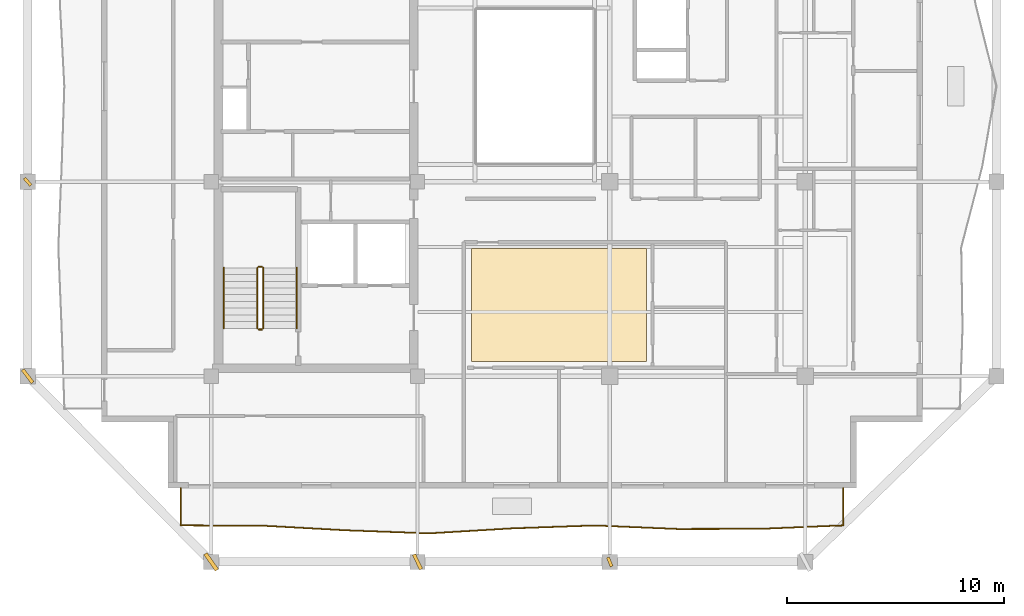
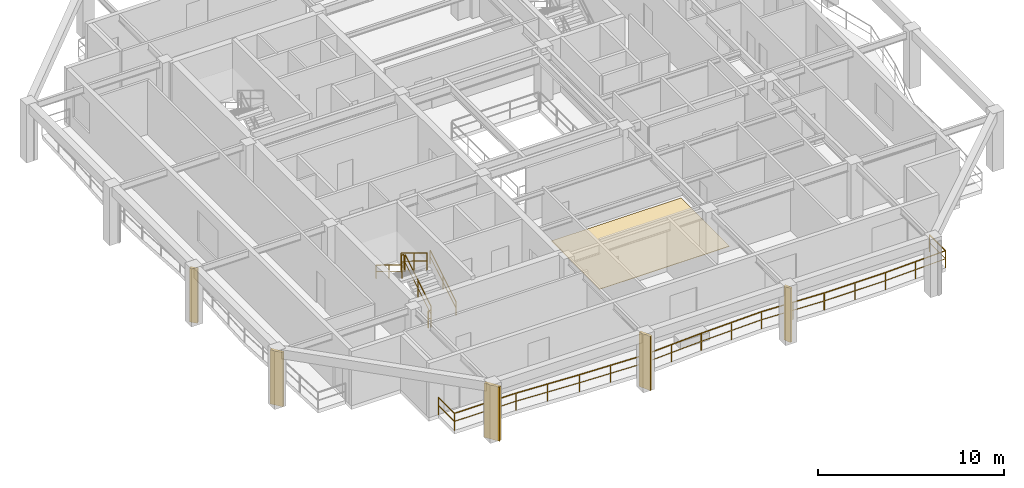
# One storey, part 7 of 10: 7 railings, 5 shading devices, 1 covering.
"""IFC4 building model written with IfcOpenShell, lengths in metres."""

import ifcopenshell
import ifcopenshell.guid

model = None  # the IFC model being written
_history = None  # IfcOwnerHistory: only IFC2X3 demands one
_inside = {}  # id of a spatial element -> (the spatial element, [elements in it])
_under = {}  # id of a project, library or spatial element -> (it, [spatial elements below it])
_declared = {}  # id of a project -> (the project, [libraries it declares])
_typed = {}  # id of a type object -> (the type object, [elements of that type])
_made_of = {}  # id of a material, layer set ... -> (it, [elements and type objects made of it])


def new_model(schema):
    """Start an empty IFC model of exactly this schema.

    Asked for "IFC4X3", IfcOpenShell would pick the latest addendum, in which some entities
    have other attributes; the version numbers below select the first issue.
    IFC2X3 requires an IfcOwnerHistory on every rooted entity: one is made here for all.
    """
    global model, _history
    if schema == "IFC4X3":
        model = ifcopenshell.file(schema_version=(4, 3, 0, 0))
    else:
        model = ifcopenshell.file(schema=schema)
    _inside.clear()
    _under.clear()
    _declared.clear()
    _typed.clear()
    _made_of.clear()
    _history = None
    if model.schema == "IFC2X3":
        org = make("IfcOrganization", Name="unknown")
        user = make(
            "IfcPersonAndOrganization",
            ThePerson=make("IfcPerson", FamilyName="unknown"),
            TheOrganization=org,
        )
        app = make(
            "IfcApplication",
            ApplicationDeveloper=org,
            Version="unknown",
            ApplicationFullName="unknown",
            ApplicationIdentifier="unknown",
        )
        _history = make(
            "IfcOwnerHistory",
            OwningUser=user,
            OwningApplication=app,
            ChangeAction="ADDED",
            CreationDate=0,
        )
    return model


def make(cls, **values):
    """One entity of the class cls with the attributes given. An attribute that is None is left unset."""
    return model.create_entity(
        cls, **{name: value for name, value in values.items() if value is not None}
    )


def rooted(cls, **values):
    """An entity with a GlobalId (a new one), such as an element, a storey or a relation."""
    return make(cls, GlobalId=ifcopenshell.guid.new(), OwnerHistory=_history, **values)


def si_unit(unit_type, name, prefix=None):
    """IfcSIUnit, for example si_unit("LENGTHUNIT", "METRE", prefix="MILLI")."""
    return make("IfcSIUnit", UnitType=unit_type, Prefix=prefix, Name=name)


def assignment(units):
    """IfcUnitAssignment: the units of a project."""
    return None if units is None else make("IfcUnitAssignment", Units=units)


def point(xyz):
    """IfcCartesianPoint."""
    return None if xyz is None else make("IfcCartesianPoint", Coordinates=xyz)


def direction(xyz):
    """IfcDirection."""
    return None if xyz is None else make("IfcDirection", DirectionRatios=xyz)


def frame(location, z_axis=None, x_axis=None):
    """IfcAxis2Placement3D, a coordinate frame: its origin and axes. An axis left out is left unset."""
    return make(
        "IfcAxis2Placement3D",
        Location=point(location),
        Axis=direction(z_axis),
        RefDirection=direction(x_axis),
    )


def frame_2d(location, x_axis=None):
    """IfcAxis2Placement2D, a coordinate frame in the plane: its origin and x axis."""
    return make(
        "IfcAxis2Placement2D", Location=point(location), RefDirection=direction(x_axis)
    )


def origin():
    """The frame at (0, 0, 0) with its axes left unset."""
    return frame((0.0, 0.0, 0.0))


def origin_2d():
    """The frame at (0, 0) in the plane with its x axis left unset."""
    return frame_2d((0.0, 0.0))


def place(relative_to, where):
    """IfcLocalPlacement: puts the frame where relative to a parent placement (None: the world)."""
    return make(
        "IfcLocalPlacement", PlacementRelTo=relative_to, RelativePlacement=where
    )


def context(
    kind, dimensions, precision=None, world=None, true_north=None, identifier=None
):
    """IfcGeometricRepresentationContext, for example the 3D "Model" context."""
    return make(
        "IfcGeometricRepresentationContext",
        ContextIdentifier=identifier,
        ContextType=kind,
        CoordinateSpaceDimension=dimensions,
        Precision=precision,
        WorldCoordinateSystem=world,
        TrueNorth=true_north,
    )


def subcontext(parent, identifier, kind, view, scale=None):
    """IfcGeometricRepresentationSubContext, for example "Body" below "Model"."""
    return make(
        "IfcGeometricRepresentationSubContext",
        ContextIdentifier=identifier,
        ContextType=kind,
        ParentContext=parent,
        TargetScale=scale,
        TargetView=view,
    )


def project(units=None, contexts=None):
    """IfcProject with its units and contexts."""
    return rooted(
        "IfcProject",
        Name="project",
        RepresentationContexts=contexts,
        UnitsInContext=assignment(units),
    )


def spatial(cls, under=None, at=None, **own):
    """A site, building, storey or space (cls), placed at a placement, below another one or the project."""
    s = rooted(cls, ObjectPlacement=at, **own)
    if under is not None:
        _under.setdefault(under.id(), (under, []))[1].append(s)
    return s


def polyline(points):
    """IfcPolyline through the points."""
    return make("IfcPolyline", Points=[point(p) for p in points])


def profile(cls, at=None, kind="AREA", **sizes):
    """A parametric profile (cls). Its sizes go by their IFC names, for example OverallWidth=200.0."""
    return make(cls, ProfileType=kind, Position=at, **sizes)


def rectangle(**sizes):
    """IfcRectangleProfileDef."""
    return profile("IfcRectangleProfileDef", **sizes)


def outline(outer, holes=None, kind="AREA"):
    """IfcArbitraryClosedProfileDef: a profile drawn as a closed curve; with holes, ...WithVoids."""
    if holes is None:
        return make("IfcArbitraryClosedProfileDef", ProfileType=kind, OuterCurve=outer)
    return make(
        "IfcArbitraryProfileDefWithVoids",
        ProfileType=kind,
        OuterCurve=outer,
        InnerCurves=holes,
    )


def extrude(swept, where, along, depth):
    """IfcExtrudedAreaSolid: the profile swept, set in the frame where, extruded along a direction by depth."""
    return make(
        "IfcExtrudedAreaSolid",
        SweptArea=swept,
        Position=where,
        ExtrudedDirection=direction(along),
        Depth=depth,
    )


def shape(context_of_items, identifier, shape_type, items):
    """IfcShapeRepresentation: the items that make up one representation, for example the "Body"."""
    return make(
        "IfcShapeRepresentation",
        ContextOfItems=context_of_items,
        RepresentationIdentifier=identifier,
        RepresentationType=shape_type,
        Items=items,
    )


def material(Name=None, Category=None):
    """IfcMaterial."""
    return make("IfcMaterial", Name=Name, Category=Category)


def layer(
    of_material, thickness, ventilated=None, Name=None, Category=None, Priority=None
):
    """IfcMaterialLayer: one layer of a wall or slab, of a material (None: an air gap)."""
    return make(
        "IfcMaterialLayer",
        Material=of_material,
        LayerThickness=thickness,
        IsVentilated=ventilated,
        Name=Name,
        Category=Category,
        Priority=Priority,
    )


def layer_set(layers, Name=None):
    """IfcMaterialLayerSet."""
    return make("IfcMaterialLayerSet", MaterialLayers=layers, LayerSetName=Name)


def made_of(thing, what):
    """Note that an element or type object is made of a material, layer set ...; save() writes the relation."""
    if what is not None:
        _made_of.setdefault(what.id(), (what, []))[1].append(thing)
    return thing


def type_object(cls, material=None, **own):
    """A type object (cls), such as IfcWallType, which elements share."""
    return made_of(rooted(cls, **own), material)


def element(
    cls,
    number,
    at=None,
    inside=None,
    cuts=None,
    type_object=None,
    material=None,
    context=None,
    identifier="Body",
    shape_type=None,
    held_by="IfcProductDefinitionShape",
    body=None,
    shapes=None,
    **own,
):
    """One element of the class cls, such as IfcWall. Its Tag is "e" and its number.

    at: its placement. inside: the storey or other place that contains it. cuts: it is an
    opening in that element (IfcRelVoidsElement). A single representation is given by context,
    identifier, shape_type and body (its items); several are given by shapes. held_by: the class
    of the entity that holds the representations. save() writes the other relations.
    """
    e = rooted(cls, Tag="e%d" % number, ObjectPlacement=at, **own)
    if body is not None:
        shapes = [shape(context, identifier, shape_type, body)]
    if shapes is not None:
        e.Representation = make(held_by, Representations=shapes)
    if inside is not None:
        _inside.setdefault(inside.id(), (inside, []))[1].append(e)
    if cuts is not None:
        rooted(
            "IfcRelVoidsElement", RelatingBuildingElement=cuts, RelatedOpeningElement=e
        )
    if type_object is not None:
        _typed.setdefault(type_object.id(), (type_object, []))[1].append(e)
    return made_of(e, material)


def aggregate(whole, parts):
    """IfcRelAggregates: a whole, such as a stair, and the parts it consists of."""
    return rooted("IfcRelAggregates", RelatingObject=whole, RelatedObjects=parts)


def save(model, path):
    """Write the relations noted so far, then the file.

    IfcRelAggregates (storeys below a building ...), IfcRelContainedInSpatialStructure (elements
    in a storey), IfcRelDefinesByType, IfcRelAssociatesMaterial and IfcRelDeclares: one each for
    every whole, place, type object, material and project.
    """
    for whole, parts in _under.values():
        aggregate(whole, parts)
    for where, things in _inside.values():
        rooted(
            "IfcRelContainedInSpatialStructure",
            RelatedElements=things,
            RelatingStructure=where,
        )
    for kind, things in _typed.values():
        rooted("IfcRelDefinesByType", RelatedObjects=things, RelatingType=kind)
    for what, things in _made_of.values():
        rooted("IfcRelAssociatesMaterial", RelatedObjects=things, RelatingMaterial=what)
    for by, libraries in _declared.values():
        rooted("IfcRelDeclares", RelatingContext=by, RelatedDefinitions=libraries)
    model.write(path)


model = new_model("IFC4")

# Units and contexts
model_context = context("Model", 3, precision=1e-05, world=origin(), true_north=direction((0.0, 1.0)))
body_context = subcontext(model_context, "Body", "Model", "MODEL_VIEW")
ifc_project = project(units=[si_unit("LENGTHUNIT", "METRE"), si_unit("AREAUNIT", "SQUARE_METRE"), si_unit("VOLUMEUNIT", "CUBIC_METRE"), si_unit("PLANEANGLEUNIT", "RADIAN"), si_unit("MASSUNIT", "GRAM", prefix="KILO")], contexts=[model_context])

# Site, building, storey
site_placement = place(None, origin())
site = spatial("IfcSite", under=ifc_project, at=site_placement, CompositionType="ELEMENT")
building_placement = place(site_placement, origin())
building = spatial("IfcBuilding", under=site, at=building_placement, Name="Kundavana Baori Tower", CompositionType="ELEMENT")
storey_placement = place(building_placement, frame((0.0, 0.0, 312.5)))
storey = spatial("IfcBuildingStorey", under=building, at=storey_placement, Name="L77", CompositionType="ELEMENT", Elevation=312.5)

# Covering
ifc_material_1 = material(Name="Honed Kota Stone and Terrazzo Flooring", Category="masonry")
ifc_layer = layer(ifc_material_1, 0.030029296875, Name="COV-INT-FLR")
ifc_layer_set = layer_set([ifc_layer], Name="Honed Kota Stone and Terrazzo Flooring")
covering_type = type_object("IfcCoveringType", Name="COV-INT-FLR", PredefinedType="FLOORING", material=ifc_layer_set)
covering_placement = place(storey_placement, origin())
element("IfcCovering", 1, at=covering_placement, inside=storey, type_object=covering_type, Name="L77 Room Finished Stone Flooring 1", PredefinedType="FLOORING", context=body_context, shape_type="SweptSolid", body=[
    extrude(outline(polyline([(27.43994140625, 15.919921875), (35.489990234375, 15.919921875), (35.489990234375, 21.139892578125), (27.43994140625, 21.139892578125), (27.43994140625, 15.919921875)])), origin(), (0.0, 0.0, 1.0), 0.030029296875),
])

# Railings
ifc_material_2 = material(Name="Architectural Patinated Bronze Metalwork")
railing_type_1 = type_object("IfcRailingType", Name="RL-BAL-1150", PredefinedType="BALUSTRADE", material=ifc_material_2)
railing_1_placement = place(storey_placement, frame((44.550048828125, 10.10009765625, 0.0)))
element("IfcRailing", 2, at=railing_1_placement, inside=storey, type_object=railing_type_1, Name="L77 Loggia Balcony Balustrade S", PredefinedType="BALUSTRADE", context=body_context, shape_type="SweptSolid", body=[
    extrude(rectangle(XDim=0.048095703125, YDim=0.048095703125, at=origin_2d()), frame((0.0, 0.0, 1.1259765625), z_axis=(0.0, -1.0, 0.0), x_axis=(1.0, 0.0, 0.0)), (0.0, 0.0, 1.0), 1.72021484375),
    extrude(rectangle(XDim=0.03125, YDim=0.03125, at=origin_2d()), frame((0.0, 0.0, 0.597900390625), z_axis=(0.0, -1.0, 0.0), x_axis=(1.0, 0.0, 0.0)), (0.0, 0.0, 1.0), 1.72021484375),
    extrude(rectangle(XDim=0.048095703125, YDim=0.048095703125, at=origin_2d()), frame((0.0, -1.72021484375, 1.1259765625), z_axis=(-0.999110982003, -0.042157391288, 0.0), x_axis=(0.042157391288, -0.999110982003, 0.0)), (0.0, 0.0, 1.0), 3.81640625),
    extrude(rectangle(XDim=0.03125, YDim=0.03125, at=origin_2d()), frame((0.0, -1.72021484375, 0.597900390625), z_axis=(-0.999110982003, -0.042157391288, 0.0), x_axis=(0.042157391288, -0.999110982003, 0.0)), (0.0, 0.0, 1.0), 3.81640625),
    extrude(rectangle(XDim=0.048095703125, YDim=0.048095703125, at=origin_2d()), frame((-3.81298828125, -1.881103515625, 1.1259765625), z_axis=(-0.999998718198, -0.001601125141, 0.0), x_axis=(0.001601125141, -0.999998718198, 0.0)), (0.0, 0.0, 1.0), 3.81201171875),
    extrude(rectangle(XDim=0.03125, YDim=0.03125, at=origin_2d()), frame((-3.81298828125, -1.881103515625, 0.597900390625), z_axis=(-0.999998718198, -0.001601125141, 0.0), x_axis=(0.001601125141, -0.999998718198, 0.0)), (0.0, 0.0, 1.0), 3.81201171875),
    extrude(rectangle(XDim=0.048095703125, YDim=0.048095703125, at=origin_2d()), frame((-7.625, -1.88720703125, 1.1259765625), z_axis=(-0.999097458743, 0.042476675157, 0.0), x_axis=(-0.042476675157, -0.999097458743, 0.0)), (0.0, 0.0, 1.0), 3.81640625),
    extrude(rectangle(XDim=0.03125, YDim=0.03125, at=origin_2d()), frame((-7.625, -1.88720703125, 0.597900390625), z_axis=(-0.999097458743, 0.042476675157, 0.0), x_axis=(-0.042476675157, -0.999097458743, 0.0)), (0.0, 0.0, 1.0), 3.81640625),
    extrude(rectangle(XDim=0.048095703125, YDim=0.048095703125, at=origin_2d()), frame((-11.43798828125, -1.72509765625, 1.1259765625), z_axis=(-0.999382433273, -0.035139039059, 0.0), x_axis=(0.035139039059, -0.999382433273, 0.0)), (0.0, 0.0, 1.0), 3.814453125),
    extrude(rectangle(XDim=0.03125, YDim=0.03125, at=origin_2d()), frame((-11.43798828125, -1.72509765625, 0.597900390625), z_axis=(-0.999382433273, -0.035139039059, 0.0), x_axis=(0.035139039059, -0.999382433273, 0.0)), (0.0, 0.0, 1.0), 3.814453125),
    extrude(rectangle(XDim=0.048095703125, YDim=0.048095703125, at=origin_2d()), frame((-15.25, -1.859130859375, 1.1259765625), z_axis=(-0.998201328375, -0.059950880139, 0.0), x_axis=(0.059950880139, -0.998201328375, 0.0)), (0.0, 0.0, 1.0), 3.81982421875),
    extrude(rectangle(XDim=0.03125, YDim=0.03125, at=origin_2d()), frame((-15.25, -1.859130859375, 0.597900390625), z_axis=(-0.998201328375, -0.059950880139, 0.0), x_axis=(0.059950880139, -0.998201328375, 0.0)), (0.0, 0.0, 1.0), 3.81982421875),
    extrude(rectangle(XDim=0.048095703125, YDim=0.048095703125, at=origin_2d()), frame((-19.06298828125, -2.088134765625, 1.1259765625), z_axis=(-0.999324966198, 0.036737064852, 0.0), x_axis=(-0.036737064852, -0.999324966198, 0.0)), (0.0, 0.0, 1.0), 3.814697265625),
    extrude(rectangle(XDim=0.03125, YDim=0.03125, at=origin_2d()), frame((-19.06298828125, -2.088134765625, 0.597900390625), z_axis=(-0.999324966198, 0.036737064852, 0.0), x_axis=(-0.036737064852, -0.999324966198, 0.0)), (0.0, 0.0, 1.0), 3.814697265625),
    extrude(rectangle(XDim=0.048095703125, YDim=0.048095703125, at=origin_2d()), frame((-22.875, -1.947998046875, 1.1259765625), z_axis=(-0.998486606731, 0.05499541961, 0.0), x_axis=(-0.05499541961, -0.998486606731, 0.0)), (0.0, 0.0, 1.0), 3.81787109375),
    extrude(rectangle(XDim=0.03125, YDim=0.03125, at=origin_2d()), frame((-22.875, -1.947998046875, 0.597900390625), z_axis=(-0.998486606731, 0.05499541961, 0.0), x_axis=(-0.05499541961, -0.998486606731, 0.0)), (0.0, 0.0, 1.0), 3.81787109375),
    extrude(rectangle(XDim=0.048095703125, YDim=0.048095703125, at=origin_2d()), frame((-26.68701171875, -1.738037109375, 1.1259765625), z_axis=(-0.999989076602, 0.004674042937, 0.0), x_axis=(-0.004674042937, -0.999989076602, 0.0)), (0.0, 0.0, 1.0), 3.81298828125),
    extrude(rectangle(XDim=0.03125, YDim=0.03125, at=origin_2d()), frame((-26.68701171875, -1.738037109375, 0.597900390625), z_axis=(-0.999989076602, 0.004674042937, 0.0), x_axis=(-0.004674042937, -0.999989076602, 0.0)), (0.0, 0.0, 1.0), 3.81298828125),
    extrude(rectangle(XDim=0.048095703125, YDim=0.048095703125, at=origin_2d()), frame((-30.5, -1.72021484375, 1.1259765625), z_axis=(0.0, 1.0, 0.0), x_axis=(-1.0, 0.0, 0.0)), (0.0, 0.0, 1.0), 1.72021484375),
    extrude(rectangle(XDim=0.03125, YDim=0.03125, at=origin_2d()), frame((-30.5, -1.72021484375, 0.597900390625), z_axis=(0.0, 1.0, 0.0), x_axis=(-1.0, 0.0, 0.0)), (0.0, 0.0, 1.0), 1.72021484375),
    extrude(rectangle(XDim=0.0419921875, YDim=0.0419921875, at=origin_2d()), origin(), (0.0, 0.0, 1.0), 1.101806640625),
    extrude(rectangle(XDim=0.0419921875, YDim=0.0419921875, at=origin_2d()), frame((0.0, -1.72021484375, 0.0)), (0.0, 0.0, 1.0), 1.101806640625),
    extrude(rectangle(XDim=0.0419921875, YDim=0.0419921875, at=origin_2d()), frame((-1.906494140625, -1.80078125, 0.0)), (0.0, 0.0, 1.0), 1.101806640625),
    extrude(rectangle(XDim=0.0419921875, YDim=0.0419921875, at=origin_2d()), frame((-3.81298828125, -1.881103515625, 0.0)), (0.0, 0.0, 1.0), 1.101806640625),
    extrude(rectangle(XDim=0.0419921875, YDim=0.0419921875, at=origin_2d()), frame((-5.718994140625, -1.88427734375, 0.0)), (0.0, 0.0, 1.0), 1.101806640625),
    extrude(rectangle(XDim=0.0419921875, YDim=0.0419921875, at=origin_2d()), frame((-7.625, -1.88720703125, 0.0)), (0.0, 0.0, 1.0), 1.101806640625),
    extrude(rectangle(XDim=0.0419921875, YDim=0.0419921875, at=origin_2d()), frame((-9.531494140625, -1.80615234375, 0.0)), (0.0, 0.0, 1.0), 1.101806640625),
    extrude(rectangle(XDim=0.0419921875, YDim=0.0419921875, at=origin_2d()), frame((-11.43798828125, -1.72509765625, 0.0)), (0.0, 0.0, 1.0), 1.101806640625),
    extrude(rectangle(XDim=0.0419921875, YDim=0.0419921875, at=origin_2d()), frame((-13.343994140625, -1.7919921875, 0.0)), (0.0, 0.0, 1.0), 1.101806640625),
    extrude(rectangle(XDim=0.0419921875, YDim=0.0419921875, at=origin_2d()), frame((-15.25, -1.859130859375, 0.0)), (0.0, 0.0, 1.0), 1.101806640625),
    extrude(rectangle(XDim=0.0419921875, YDim=0.0419921875, at=origin_2d()), frame((-17.156494140625, -1.9736328125, 0.0)), (0.0, 0.0, 1.0), 1.101806640625),
    extrude(rectangle(XDim=0.0419921875, YDim=0.0419921875, at=origin_2d()), frame((-19.06298828125, -2.088134765625, 0.0)), (0.0, 0.0, 1.0), 1.101806640625),
    extrude(rectangle(XDim=0.0419921875, YDim=0.0419921875, at=origin_2d()), frame((-20.968994140625, -2.01806640625, 0.0)), (0.0, 0.0, 1.0), 1.101806640625),
    extrude(rectangle(XDim=0.0419921875, YDim=0.0419921875, at=origin_2d()), frame((-22.875, -1.947998046875, 0.0)), (0.0, 0.0, 1.0), 1.101806640625),
    extrude(rectangle(XDim=0.0419921875, YDim=0.0419921875, at=origin_2d()), frame((-24.781005859375, -1.843017578125, 0.0)), (0.0, 0.0, 1.0), 1.101806640625),
    extrude(rectangle(XDim=0.0419921875, YDim=0.0419921875, at=origin_2d()), frame((-26.68701171875, -1.738037109375, 0.0)), (0.0, 0.0, 1.0), 1.101806640625),
    extrude(rectangle(XDim=0.0419921875, YDim=0.0419921875, at=origin_2d()), frame((-28.593505859375, -1.72900390625, 0.0)), (0.0, 0.0, 1.0), 1.101806640625),
    extrude(rectangle(XDim=0.0419921875, YDim=0.0419921875, at=origin_2d()), frame((-30.5, -1.72021484375, 0.0)), (0.0, 0.0, 1.0), 1.101806640625),
    extrude(rectangle(XDim=0.0419921875, YDim=0.0419921875, at=origin_2d()), frame((-30.5, 0.0, 0.0)), (0.0, 0.0, 1.0), 1.101806640625),
])
ifc_material_3 = material(Name="Architectural Patinated Bronze Metalwork")
railing_type_2 = type_object("IfcRailingType", Name="RL-GRD-1150", PredefinedType="GUARDRAIL", material=ifc_material_3)
railing_2_placement = place(storey_placement, frame((17.840087890625, 17.449951171875, 0.18994140625)))
element("IfcRailing", 3, at=railing_2_placement, inside=storey, type_object=railing_type_2, Name="L77 ST1 stair guard 1", PredefinedType="GUARDRAIL", context=body_context, shape_type="SweptSolid", body=[
    extrude(rectangle(XDim=0.048095703125, YDim=0.048095703125, at=origin_2d()), frame((0.0, 0.0, 1.1259765625), z_axis=(0.0, 0.852609830418, 0.522548061975), x_axis=(-1.0, 0.0, 0.0)), (0.0, 0.0, 1.0), 3.2724609375),
    extrude(rectangle(XDim=0.03125, YDim=0.03125, at=origin_2d()), frame((0.0, 0.0, 0.597900390625), z_axis=(0.0, 0.852609830418, 0.522548061975), x_axis=(-1.0, 0.0, 0.0)), (0.0, 0.0, 1.0), 3.2724609375),
    extrude(rectangle(XDim=0.0419921875, YDim=0.0419921875, at=origin_2d()), origin(), (0.0, 0.0, 1.0), 1.101806640625),
    extrude(rectangle(XDim=0.0419921875, YDim=0.0419921875, at=origin_2d()), frame((0.0, 1.39501953125, 0.85498046875)), (0.0, 0.0, 1.0), 1.101806640625),
    extrude(rectangle(XDim=0.0419921875, YDim=0.0419921875, at=origin_2d()), frame((0.0, 2.7900390625, 1.7099609375)), (0.0, 0.0, 1.0), 1.101806640625),
])
railing_3_placement = place(storey_placement, frame((17.7900390625, 20.2900390625, 1.89990234375)))
element("IfcRailing", 4, at=railing_3_placement, inside=storey, type_object=railing_type_2, Name="L77 ST1 stair guard 2", PredefinedType="GUARDRAIL", context=body_context, shape_type="SweptSolid", body=[
    extrude(rectangle(XDim=0.048095703125, YDim=0.048095703125, at=origin_2d()), frame((0.0, 0.0, 1.1259765625), z_axis=(-1.0, 0.0, 0.0), x_axis=(0.0, -1.0, 0.0)), (0.0, 0.0, 1.0), 0.16015625),
    extrude(rectangle(XDim=0.03125, YDim=0.03125, at=origin_2d()), frame((0.0, 0.0, 0.597900390625), z_axis=(-1.0, 0.0, 0.0), x_axis=(0.0, -1.0, 0.0)), (0.0, 0.0, 1.0), 0.16015625),
    extrude(rectangle(XDim=0.0419921875, YDim=0.0419921875, at=origin_2d()), origin(), (0.0, 0.0, 1.0), 1.101806640625),
    extrude(rectangle(XDim=0.0419921875, YDim=0.0419921875, at=origin_2d()), frame((-0.16015625, 0.0, 0.0)), (0.0, 0.0, 1.0), 1.101806640625),
])
railing_4_placement = place(storey_placement, frame((17.580078125, 20.239990234375, 2.090087890625)))
element("IfcRailing", 5, at=railing_4_placement, inside=storey, type_object=railing_type_2, Name="L77 ST1 stair guard 3", PredefinedType="GUARDRAIL", context=body_context, shape_type="SweptSolid", body=[
    extrude(rectangle(XDim=0.048095703125, YDim=0.048095703125, at=origin_2d()), frame((0.0, 0.0, 1.1259765625), z_axis=(0.0, -0.852609830418, 0.522548061975), x_axis=(1.0, 0.0, 0.0)), (0.0, 0.0, 1.0), 3.2724609375),
    extrude(rectangle(XDim=0.03125, YDim=0.03125, at=origin_2d()), frame((0.0, 0.0, 0.597900390625), z_axis=(0.0, -0.852609830418, 0.522548061975), x_axis=(1.0, 0.0, 0.0)), (0.0, 0.0, 1.0), 3.2724609375),
    extrude(rectangle(XDim=0.0419921875, YDim=0.0419921875, at=origin_2d()), origin(), (0.0, 0.0, 1.0), 1.101806640625),
    extrude(rectangle(XDim=0.0419921875, YDim=0.0419921875, at=origin_2d()), frame((0.0, -1.39501953125, 0.85498046875)), (0.0, 0.0, 1.0), 1.101806640625),
    extrude(rectangle(XDim=0.0419921875, YDim=0.0419921875, at=origin_2d()), frame((0.0, -2.7900390625, 1.7099609375)), (0.0, 0.0, 1.0), 1.101806640625),
])
railing_5_placement = place(storey_placement, frame((17.7900390625, 17.39990234375, 0.0)))
element("IfcRailing", 6, at=railing_5_placement, inside=storey, type_object=railing_type_2, Name="L77 ST1 stair guard 4", PredefinedType="GUARDRAIL", context=body_context, shape_type="SweptSolid", body=[
    extrude(rectangle(XDim=0.048095703125, YDim=0.048095703125, at=origin_2d()), frame((0.0, 0.0, 1.1259765625), z_axis=(-1.0, 0.0, 0.0), x_axis=(0.0, -1.0, 0.0)), (0.0, 0.0, 1.0), 0.16015625),
    extrude(rectangle(XDim=0.03125, YDim=0.03125, at=origin_2d()), frame((0.0, 0.0, 0.597900390625), z_axis=(-1.0, 0.0, 0.0), x_axis=(0.0, -1.0, 0.0)), (0.0, 0.0, 1.0), 0.16015625),
    extrude(rectangle(XDim=0.0419921875, YDim=0.0419921875, at=origin_2d()), origin(), (0.0, 0.0, 1.0), 1.101806640625),
    extrude(rectangle(XDim=0.0419921875, YDim=0.0419921875, at=origin_2d()), frame((-0.16015625, 0.0, 0.0)), (0.0, 0.0, 1.0), 1.101806640625),
])
ifc_material_4 = material(Name="Architectural Patinated Bronze Metalwork")
railing_type_3 = type_object("IfcRailingType", Name="RL-HND-920", PredefinedType="HANDRAIL", material=ifc_material_4)
railing_6_placement = place(storey_placement, frame((19.389892578125, 17.449951171875, 0.18994140625)))
element("IfcRailing", 7, at=railing_6_placement, inside=storey, type_object=railing_type_3, Name="L77 ST1 stair handrail 1", PredefinedType="HANDRAIL", context=body_context, shape_type="SweptSolid", body=[
    extrude(rectangle(XDim=0.048095703125, YDim=0.048095703125, at=origin_2d()), frame((0.0, 0.0, 0.8759765625), z_axis=(0.0, 0.852609830418, 0.522548061975), x_axis=(-1.0, 0.0, 0.0)), (0.0, 0.0, 1.0), 3.2724609375),
    extrude(rectangle(XDim=0.03125, YDim=0.03125, at=origin_2d()), frame((0.0, 0.0, 0.468017578125), z_axis=(0.0, 0.852609830418, 0.522548061975), x_axis=(-1.0, 0.0, 0.0)), (0.0, 0.0, 1.0), 3.2724609375),
    extrude(rectangle(XDim=0.0419921875, YDim=0.0419921875, at=origin_2d()), origin(), (0.0, 0.0, 1.0), 0.851806640625),
    extrude(rectangle(XDim=0.0419921875, YDim=0.0419921875, at=origin_2d()), frame((0.0, 1.39501953125, 0.85498046875)), (0.0, 0.0, 1.0), 0.851806640625),
    extrude(rectangle(XDim=0.0419921875, YDim=0.0419921875, at=origin_2d()), frame((0.0, 2.7900390625, 1.7099609375)), (0.0, 0.0, 1.0), 0.851806640625),
])
railing_7_placement = place(storey_placement, frame((16.030029296875, 20.239990234375, 2.090087890625)))
element("IfcRailing", 8, at=railing_7_placement, inside=storey, type_object=railing_type_3, Name="L77 ST1 stair handrail 2", PredefinedType="HANDRAIL", context=body_context, shape_type="SweptSolid", body=[
    extrude(rectangle(XDim=0.048095703125, YDim=0.048095703125, at=origin_2d()), frame((0.0, 0.0, 0.8759765625), z_axis=(0.0, -0.852609830418, 0.522548061975), x_axis=(1.0, 0.0, 0.0)), (0.0, 0.0, 1.0), 3.2724609375),
    extrude(rectangle(XDim=0.03125, YDim=0.03125, at=origin_2d()), frame((0.0, 0.0, 0.468017578125), z_axis=(0.0, -0.852609830418, 0.522548061975), x_axis=(1.0, 0.0, 0.0)), (0.0, 0.0, 1.0), 3.2724609375),
    extrude(rectangle(XDim=0.0419921875, YDim=0.0419921875, at=origin_2d()), origin(), (0.0, 0.0, 1.0), 0.851806640625),
    extrude(rectangle(XDim=0.0419921875, YDim=0.0419921875, at=origin_2d()), frame((0.0, -1.39501953125, 0.85498046875)), (0.0, 0.0, 1.0), 0.851806640625),
    extrude(rectangle(XDim=0.0419921875, YDim=0.0419921875, at=origin_2d()), frame((0.0, -2.7900390625, 1.7099609375)), (0.0, 0.0, 1.0), 0.851806640625),
])

# Shading devices
ifc_material_5 = material(Name="Red-Buff Dholpur Sandstone Cladding on Concrete C40/50", Category="masonry")
shading_device_type_1 = type_object("IfcShadingDeviceType", Name="SHD-FIN-750", PredefinedType="JALOUSIE", material=ifc_material_5)
for number, where, z_axis, x_axis, name in (
    (9, (24.949951171875, 6.699951171875, 0.0), (0.0, 0.0, 1.0), (0.900698239323, 0.434445257404, 0.0), "L77 Sweeping Dholpur Sandstone Facade Fin 2"),
    (10, (7.0, 15.25, 0.0), (0.0, 0.0, 1.0), (0.797689196331, 0.603068773902, 0.0), "L77 Sweeping Dholpur Sandstone Facade Fin 5"),
):
    element("IfcShadingDevice", number, at=place(storey_placement, frame(where, z_axis=z_axis, x_axis=x_axis)), inside=storey, type_object=shading_device_type_1, Name=name, PredefinedType="JALOUSIE", context=body_context, shape_type="SweptSolid", body=[
        extrude(rectangle(XDim=0.159912109375, YDim=0.75, at=origin_2d()), origin(), (0.0, 0.0, 1.0), 3.56005859375),
    ])
ifc_material_6 = material(Name="Red-Buff Dholpur Sandstone Cladding on Concrete C40/50", Category="masonry")
shading_device_type_2 = type_object("IfcShadingDeviceType", Name="SHD-FIN-920", PredefinedType="JALOUSIE", material=ifc_material_6)
shading_device_placement = place(storey_placement, frame((15.449951171875, 6.699951171875, 0.0), z_axis=(0.0, 0.0, 1.0), x_axis=(0.817245492307, 0.576289688702, 0.0)))
element("IfcShadingDevice", 11, at=shading_device_placement, inside=storey, type_object=shading_device_type_2, Name="L77 Sweeping Dholpur Sandstone Facade Fin 1", PredefinedType="JALOUSIE", context=body_context, shape_type="SweptSolid", body=[
    extrude(rectangle(XDim=0.179931640625, YDim=0.919921875, at=origin_2d()), origin(), (0.0, 0.0, 1.0), 3.56005859375),
])
ifc_material_7 = material(Name="Architectural Patinated Bronze Metalwork")
shading_device_type_3 = type_object("IfcShadingDeviceType", Name="SHD-LOUV-450", PredefinedType="SHUTTER", material=ifc_material_7)
for number, where, z_axis, x_axis, name in (
    (12, (33.800048828125, 6.699951171875, 0.0), (0.0, 0.0, 1.0), (0.92685659564, 0.375415571225, 0.0), "L77 Sweeping Dholpur Sandstone Facade Fin 3"),
    (13, (7.0, 24.199951171875, 0.0), (0.0, 0.0, 1.0), (0.74326159948, 0.669000892928, 0.0), "L77 Sweeping Dholpur Sandstone Facade Fin 6"),
):
    element("IfcShadingDevice", number, at=place(storey_placement, frame(where, z_axis=z_axis, x_axis=x_axis)), inside=storey, type_object=shading_device_type_3, Name=name, PredefinedType="SHUTTER", context=body_context, shape_type="SweptSolid", body=[
        extrude(rectangle(XDim=0.139892578125, YDim=0.449951171875, at=origin_2d()), origin(), (0.0, 0.0, 1.0), 3.56005859375),
    ])

save(model, "model.ifc")
